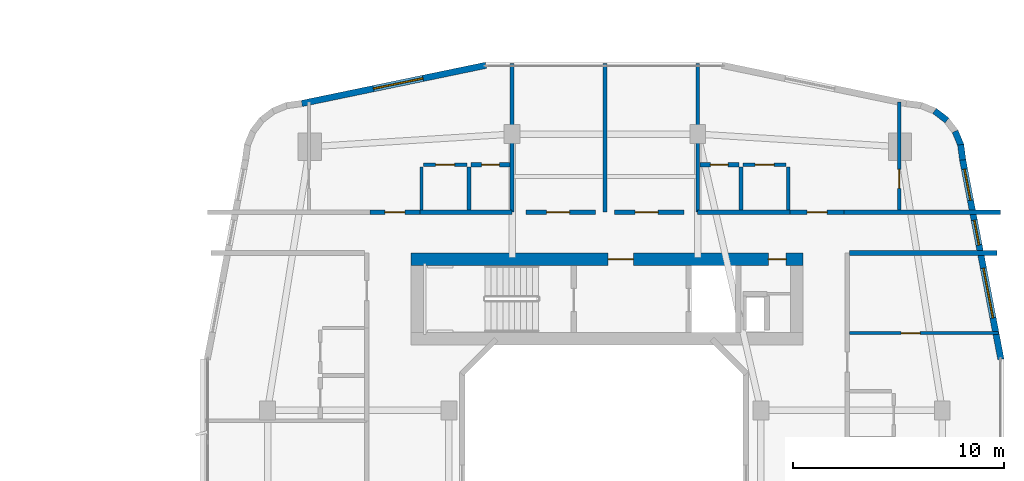
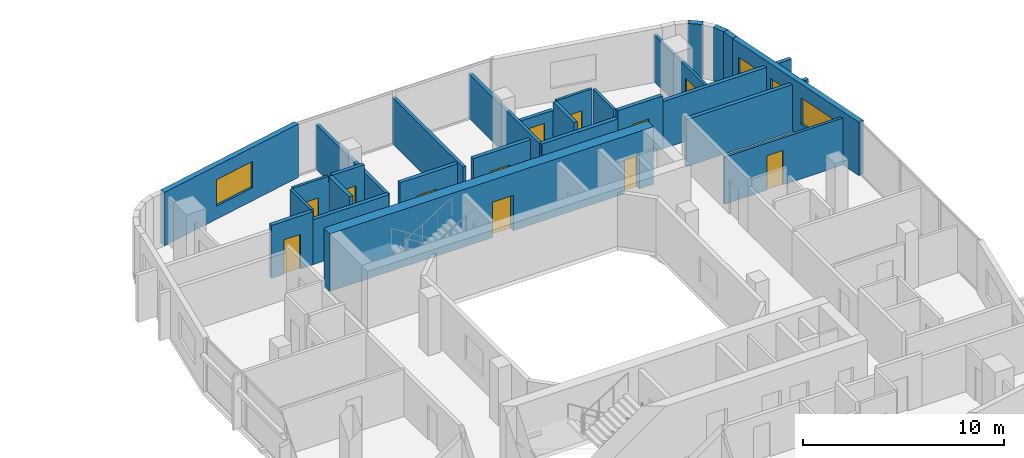
# One storey, part 20 of 26: 27 walls, 12 doors, 4 windows, 16 openings.
"""IFC4 building model written with IfcOpenShell, lengths in metres."""

from ifc_helpers import new_model, si_unit, derived_unit, direction, frame, frame_2d, origin, place, context, subcontext, project, spatial, rectangle, extrude, material, layer, layer_set, type_object, element, fill, save


model = new_model("IFC4")

# Units and contexts
model_context = context("Model", 3, precision=1e-05, world=origin(), true_north=direction((0.0, 1.0)))
body_context = subcontext(model_context, "Body", "Model", "MODEL_VIEW")
ifc_project = project(units=[si_unit("LENGTHUNIT", "METRE"), si_unit("AREAUNIT", "SQUARE_METRE"), si_unit("VOLUMEUNIT", "CUBIC_METRE"), si_unit("PLANEANGLEUNIT", "RADIAN"), si_unit("MASSUNIT", "GRAM", prefix="KILO"), derived_unit("THERMALTRANSMITTANCEUNIT", [(si_unit("POWERUNIT", "WATT"), 1), (si_unit("LENGTHUNIT", "METRE"), -2), (si_unit("THERMODYNAMICTEMPERATUREUNIT", "KELVIN"), -1)])], contexts=[model_context])

# Site, building, storey
site_placement = place(None, origin())
site = spatial("IfcSite", under=ifc_project, at=site_placement, CompositionType="ELEMENT")
building_placement = place(site_placement, origin())
building = spatial("IfcBuilding", under=site, at=building_placement, Name="Kivonza Crest Hotel", CompositionType="ELEMENT")
storey_placement = place(building_placement, frame((0.0, 0.0, 55.5)))
storey = spatial("IfcBuildingStorey", under=building, at=storey_placement, Name="L14", CompositionType="ELEMENT", Elevation=55.5)

# Walls
ifc_material_1 = material(Name="High-density acoustic masonry inter-tenancy wall", Category="masonry")
ifc_layer_1 = layer(ifc_material_1, 0.179931640625)
ifc_layer_set_1 = layer_set([ifc_layer_1], Name="High-density acoustic masonry inter-tenancy wall")
wall_type_1 = type_object("IfcWallType", Name="WL-ACOU-180", PredefinedType="SOLIDWALL", material=ifc_layer_set_1)
wall_1_placement = place(storey_placement, frame((72.60009765625, 37.89990234375, 0.0), z_axis=(0.0, 0.0, 1.0), x_axis=(0.0, 1.0, 0.0)))
element("IfcWall", 1, at=wall_1_placement, inside=storey, type_object=wall_type_1, Name="L14 interior partition WA-L14-T2N-DIV1", PredefinedType="SOLIDWALL", context=body_context, shape_type="SweptSolid", body=[
    extrude(rectangle(XDim=7.0400390625, YDim=0.179931640625, at=frame_2d((3.52001953125, 0.0))), origin(), (0.0, 0.0, 1.0), 2.72509765625),
])
wall_2_placement = place(storey_placement, frame((77.0, 37.89990234375, 0.0), z_axis=(0.0, 0.0, 1.0), x_axis=(0.0, 1.0, 0.0)))
element("IfcWall", 2, at=wall_2_placement, inside=storey, type_object=wall_type_1, Name="L14 interior partition WA-L14-T2N-OFFDIV", PredefinedType="SOLIDWALL", context=body_context, shape_type="SweptSolid", body=[
    extrude(rectangle(XDim=7.0400390625, YDim=0.179931640625, at=frame_2d((3.52001953125, 0.0))), origin(), (0.0, 0.0, 1.0), 2.824951171875),
])
wall_3_placement = place(storey_placement, frame((81.39990234375, 37.89990234375, 0.0), z_axis=(0.0, 0.0, 1.0), x_axis=(0.0, 1.0, 0.0)))
element("IfcWall", 3, at=wall_3_placement, inside=storey, type_object=wall_type_1, Name="L14 interior partition WA-L14-T2N-DIV2", PredefinedType="SOLIDWALL", context=body_context, shape_type="SweptSolid", body=[
    extrude(rectangle(XDim=7.0400390625, YDim=0.179931640625, at=frame_2d((3.52001953125, 0.0))), origin(), (0.0, 0.0, 1.0), 2.72509765625),
])
ifc_material_2 = material(Name="Autoclaved aerated concrete blockwork", Category="masonry")
ifc_layer_2 = layer(ifc_material_2, 0.219970703125)
ifc_layer_set_2 = layer_set([ifc_layer_2], Name="Autoclaved aerated concrete blockwork")
wall_type_2 = type_object("IfcWallType", Name="WL-ACOU-220", PredefinedType="SOLIDWALL", material=ifc_layer_set_2)
wall_4_placement = place(storey_placement, frame((68.219970703125, 37.89990234375, 0.0), z_axis=(0.0, 0.0, 1.0), x_axis=(1.0, 0.0, 0.0)))
element("IfcWall", 4, at=wall_4_placement, inside=storey, type_object=wall_type_2, Name="L14 interior partition WA-L14-A01-RCORR", PredefinedType="SOLIDWALL", context=body_context, shape_type="SweptSolid", body=[
    extrude(rectangle(XDim=4.380126953125, YDim=0.219970703125, at=frame_2d((2.18994140625, 0.0))), origin(), (0.0, 0.0, 1.0), 2.72509765625),
])

# Wall, opening, door
wall_5_placement = place(storey_placement, frame((65.85009765625, 37.89990234375, 0.0), z_axis=(0.0, 0.0, 1.0), x_axis=(1.0, 0.0, 0.0)))
wall_5 = element("IfcWall", 5, at=wall_5_placement, inside=storey, type_object=wall_type_2, Name="L14 interior partition WA-L14-A01-MCORR", PredefinedType="SOLIDWALL", context=body_context, shape_type="SweptSolid", body=[
    extrude(rectangle(XDim=2.369873046875, YDim=0.219970703125, at=frame_2d((1.18505859375, 0.0))), origin(), (0.0, 0.0, 1.0), 3.219970703125),
])
opening_1_placement = place(wall_5_placement, frame((0.7099609375, 0.0, 0.0)))
opening_1 = element("IfcOpeningElement", 6, at=opening_1_placement, cuts=wall_5, Name="Opening DU-60", PredefinedType="OPENING", context=body_context, shape_type="SweptSolid", body=[
    extrude(rectangle(XDim=0.949951171875, YDim=2.10009765625, at=frame_2d((0.47509765625, 1.050048828125))), frame((0.0, 0.1201171875, 0.0), z_axis=(0.0, -1.0, 0.0), x_axis=(1.0, 0.0, 0.0)), (0.0, 0.0, 1.0), 0.239990234375),
])
ifc_material_3 = material(Name="Hardwood timber oak", Category="wood")
door_type_1 = type_object("IfcDoorType", Name="DR-UNIT-950", OperationType="NOTDEFINED", PredefinedType="DOOR", material=ifc_material_3)
door_1_placement = place(opening_1_placement, origin())
door_1 = element("IfcDoor", 7, at=door_1_placement, inside=storey, type_object=door_type_1, Name="L14 A01 apartment entrance fire door", OperationType="SINGLE_SWING_LEFT", OverallHeight=2.10009765625, OverallWidth=0.949951171875, PredefinedType="DOOR", context=body_context, shape_type="SweptSolid", body=[
    extrude(rectangle(XDim=0.949951171875, YDim=2.10009765625, at=frame_2d((0.47509765625, 1.050048828125))), frame((0.0, 0.02490234375, 0.0), z_axis=(0.0, -1.0, 0.0), x_axis=(1.0, 0.0, 0.0)), (0.0, 0.0, 1.0), 0.050048828125),
])
fill(opening_1, door_1)

wall_6_placement = place(storey_placement, frame((73.25, 37.89990234375, 0.0), z_axis=(0.0, 0.0, 1.0), x_axis=(1.0, 0.0, 0.0)))
wall_6 = element("IfcWall", 8, at=wall_6_placement, inside=storey, type_object=wall_type_2, Name="L14 interior partition WA-L14-T2-OFF1-S", PredefinedType="SOLIDWALL", context=body_context, shape_type="SweptSolid", body=[
    extrude(rectangle(XDim=3.300048828125, YDim=0.219970703125, at=frame_2d((1.64990234375, 0.0))), origin(), (0.0, 0.0, 1.0), 3.219970703125),
])
opening_2_placement = place(wall_6_placement, frame((0.97998046875, 0.0, 0.0)))
opening_2 = element("IfcOpeningElement", 9, at=opening_2_placement, cuts=wall_6, Name="Opening DF-60M", PredefinedType="OPENING", context=body_context, shape_type="SweptSolid", body=[
    extrude(rectangle(XDim=1.10009765625, YDim=2.10009765625, at=frame_2d((0.550048828125, 1.050048828125))), frame((0.0, 0.1201171875, 0.0), z_axis=(0.0, -1.0, 0.0), x_axis=(1.0, 0.0, 0.0)), (0.0, 0.0, 1.0), 0.239990234375),
])
door_type_2 = type_object("IfcDoorType", Name="DR-FD60-1100", OperationType="NOTDEFINED", PredefinedType="DOOR", material=ifc_material_3)
door_2_placement = place(opening_2_placement, origin())
door_2 = element("IfcDoor", 10, at=door_2_placement, inside=storey, type_object=door_type_2, Name="L14 Resident Co-Working Study West door", OperationType="SINGLE_SWING_RIGHT", OverallHeight=2.10009765625, OverallWidth=1.10009765625, PredefinedType="DOOR", context=body_context, shape_type="SweptSolid", body=[
    extrude(rectangle(XDim=1.10009765625, YDim=2.10009765625, at=frame_2d((0.550048828125, 1.050048828125))), frame((0.0, 0.02490234375, 0.0), z_axis=(0.0, -1.0, 0.0), x_axis=(1.0, 0.0, 0.0)), (0.0, 0.0, 1.0), 0.050048828125),
])
fill(opening_2, door_2)

wall_7_placement = place(storey_placement, frame((77.449951171875, 37.89990234375, 0.0), z_axis=(0.0, 0.0, 1.0), x_axis=(1.0, 0.0, 0.0)))
wall_7 = element("IfcWall", 11, at=wall_7_placement, inside=storey, type_object=wall_type_2, Name="L14 interior partition WA-L14-T2-OFF2-S", PredefinedType="SOLIDWALL", context=body_context, shape_type="SweptSolid", body=[
    extrude(rectangle(XDim=3.300048828125, YDim=0.219970703125, at=frame_2d((1.64990234375, 0.0))), origin(), (0.0, 0.0, 1.0), 3.219970703125),
])
opening_3_placement = place(wall_7_placement, frame((0.97998046875, 0.0, 0.0)))
opening_3 = element("IfcOpeningElement", 12, at=opening_3_placement, cuts=wall_7, Name="Opening DF-60M", PredefinedType="OPENING", context=body_context, shape_type="SweptSolid", body=[
    extrude(rectangle(XDim=1.10009765625, YDim=2.10009765625, at=frame_2d((0.550048828125, 1.050048828125))), frame((0.0, 0.1201171875, 0.0), z_axis=(0.0, -1.0, 0.0), x_axis=(1.0, 0.0, 0.0)), (0.0, 0.0, 1.0), 0.239990234375),
])
door_3_placement = place(opening_3_placement, origin())
door_3 = element("IfcDoor", 13, at=door_3_placement, inside=storey, type_object=door_type_2, Name="L14 Resident Co-Working Study East door", OperationType="SINGLE_SWING_LEFT", OverallHeight=2.10009765625, OverallWidth=1.10009765625, PredefinedType="DOOR", context=body_context, shape_type="SweptSolid", body=[
    extrude(rectangle(XDim=1.10009765625, YDim=2.10009765625, at=frame_2d((0.550048828125, 1.050048828125))), frame((0.0, 0.02490234375, 0.0), z_axis=(0.0, -1.0, 0.0), x_axis=(1.0, 0.0, 0.0)), (0.0, 0.0, 1.0), 0.050048828125),
])
fill(opening_3, door_3)

# Walls
wall_8_placement = place(storey_placement, frame((81.39990234375, 37.89990234375, 0.0), z_axis=(0.0, 0.0, 1.0), x_axis=(1.0, 0.0, 0.0)))
element("IfcWall", 14, at=wall_8_placement, inside=storey, type_object=wall_type_2, Name="L14 interior partition WA-L14-A02-LCORR", PredefinedType="SOLIDWALL", context=body_context, shape_type="SweptSolid", body=[
    extrude(rectangle(XDim=4.380126953125, YDim=0.219970703125, at=frame_2d((2.18994140625, 0.0))), origin(), (0.0, 0.0, 1.0), 2.72509765625),
])
wall_9_placement = place(storey_placement, frame((88.35009765625, 37.89990234375, 0.0), z_axis=(0.0, 0.0, 1.0), x_axis=(1.0, 0.0, 0.0)))
element("IfcWall", 15, at=wall_9_placement, inside=storey, type_object=wall_type_2, Name="L14 interior partition WA-L14-A02-RCORR", PredefinedType="SOLIDWALL", context=body_context, shape_type="SweptSolid", body=[
    extrude(rectangle(XDim=7.409912109375, YDim=0.219970703125, at=frame_2d((3.705078125, 0.0))), origin(), (0.0, 0.0, 1.0), 2.864990234375),
])

# Wall, opening, door
wall_10_placement = place(storey_placement, frame((85.780029296875, 37.89990234375, 0.0), z_axis=(0.0, 0.0, 1.0), x_axis=(1.0, 0.0, 0.0)))
wall_10 = element("IfcWall", 16, at=wall_10_placement, inside=storey, type_object=wall_type_2, Name="L14 interior partition WA-L14-A02-MCORR", PredefinedType="SOLIDWALL", context=body_context, shape_type="SweptSolid", body=[
    extrude(rectangle(XDim=2.570068359375, YDim=0.219970703125, at=frame_2d((1.28515625, 0.0))), origin(), (0.0, 0.0, 1.0), 3.219970703125),
])
opening_4_placement = place(wall_10_placement, frame((0.81005859375, 0.0, 0.0)))
opening_4 = element("IfcOpeningElement", 17, at=opening_4_placement, cuts=wall_10, Name="Opening DU-60", PredefinedType="OPENING", context=body_context, shape_type="SweptSolid", body=[
    extrude(rectangle(XDim=0.949951171875, YDim=2.10009765625, at=frame_2d((0.47509765625, 1.050048828125))), frame((0.0, 0.1201171875, 0.0), z_axis=(0.0, -1.0, 0.0), x_axis=(1.0, 0.0, 0.0)), (0.0, 0.0, 1.0), 0.239990234375),
])
door_4_placement = place(opening_4_placement, origin())
door_4 = element("IfcDoor", 18, at=door_4_placement, inside=storey, type_object=door_type_1, Name="L14 A02 apartment entrance fire door", OperationType="SINGLE_SWING_RIGHT", OverallHeight=2.10009765625, OverallWidth=0.949951171875, PredefinedType="DOOR", context=body_context, shape_type="SweptSolid", body=[
    extrude(rectangle(XDim=0.949951171875, YDim=2.10009765625, at=frame_2d((0.47509765625, 1.050048828125))), frame((0.0, 0.02490234375, 0.0), z_axis=(0.0, -1.0, 0.0), x_axis=(1.0, 0.0, 0.0)), (0.0, 0.0, 1.0), 0.050048828125),
])
fill(opening_4, door_4)

# Wall
wall_11_placement = place(storey_placement, frame((88.60009765625, 35.9599609375, 0.0), z_axis=(0.0, 0.0, 1.0), x_axis=(1.0, 0.0, 0.0)))
element("IfcWall", 19, at=wall_11_placement, inside=storey, type_object=wall_type_2, Name="L14 interior partition WA-L14-T2E-ENDN", PredefinedType="SOLIDWALL", context=body_context, shape_type="SweptSolid", body=[
    extrude(rectangle(XDim=7.0, YDim=0.219970703125, at=frame_2d((3.5, 0.0))), origin(), (0.0, 0.0, 1.0), 2.864990234375),
])

# Wall, openings, doors
ifc_material_4 = material(Name="Concrete C60/75", Category="concrete")
ifc_layer_3 = layer(ifc_material_4, 0.60009765625)
ifc_layer_set_3 = layer_set([ifc_layer_3], Name="Concrete C60/75")
wall_type_3 = type_object("IfcWallType", Name="WL-CORE-600", PredefinedType="SHEAR", material=ifc_layer_set_3)
wall_12_placement = place(storey_placement, frame((67.800048828125, 35.659912109375, 0.0), z_axis=(0.0, 0.0, 1.0), x_axis=(1.0, 0.0, 0.0)))
wall_12 = element("IfcWall", 20, at=wall_12_placement, inside=storey, type_object=wall_type_3, Name="Core wall T2-N North L14", PredefinedType="SHEAR", context=body_context, shape_type="SweptSolid", body=[
    extrude(rectangle(XDim=18.599853515625, YDim=0.60009765625, at=frame_2d((9.2998046875, 0.0))), origin(), (0.0, 0.0, 1.0), 3.5),
])
opening_5_placement = place(wall_12_placement, frame((9.35009765625, 0.0, 0.0)))
opening_5 = element("IfcOpeningElement", 21, at=opening_5_placement, cuts=wall_12, Name="Opening DF-60", PredefinedType="OPENING", context=body_context, shape_type="SweptSolid", body=[
    extrude(rectangle(XDim=1.199951171875, YDim=2.14990234375, at=frame_2d((0.60009765625, 1.074951171875))), frame((0.0, 0.31005859375, 0.0), z_axis=(0.0, -1.0, 0.0), x_axis=(1.0, 0.0, 0.0)), (0.0, 0.0, 1.0), 0.6201171875),
])
opening_6_placement = place(wall_12_placement, frame((16.949951171875, 0.0, 0.0)))
opening_6 = element("IfcOpeningElement", 22, at=opening_6_placement, cuts=wall_12, Name="Opening DF-60R", PredefinedType="OPENING", context=body_context, shape_type="SweptSolid", body=[
    extrude(rectangle(XDim=0.85009765625, YDim=2.10009765625, at=frame_2d((0.425048828125, 1.050048828125))), frame((0.0, 0.31005859375, 0.0), z_axis=(0.0, -1.0, 0.0), x_axis=(1.0, 0.0, 0.0)), (0.0, 0.0, 1.0), 0.6201171875),
])
door_type_3 = type_object("IfcDoorType", Name="DR-FD60-1200", OperationType="NOTDEFINED", PredefinedType="DOOR", material=ifc_material_3)
door_5_placement = place(opening_5_placement, origin())
door_5 = element("IfcDoor", 23, at=door_5_placement, inside=storey, type_object=door_type_3, Name="L14 T2-N firefighting lobby fire door", OperationType="SINGLE_SWING_RIGHT", OverallHeight=2.14990234375, OverallWidth=1.199951171875, PredefinedType="DOOR", context=body_context, shape_type="SweptSolid", body=[
    extrude(rectangle(XDim=1.199951171875, YDim=2.14990234375, at=frame_2d((0.60009765625, 1.074951171875))), frame((0.0, 0.02490234375, 0.0), z_axis=(0.0, -1.0, 0.0), x_axis=(1.0, 0.0, 0.0)), (0.0, 0.0, 1.0), 0.050048828125),
])
fill(opening_5, door_5)
door_type_4 = type_object("IfcDoorType", Name="DR-FD60-850", OperationType="NOTDEFINED", PredefinedType="DOOR", material=ifc_material_3)
door_6_placement = place(opening_6_placement, origin())
door_6 = element("IfcDoor", 24, at=door_6_placement, inside=storey, type_object=door_type_4, Name="L14 T2-N core room door", OperationType="SINGLE_SWING_RIGHT", OverallHeight=2.10009765625, OverallWidth=0.85009765625, PredefinedType="DOOR", context=body_context, shape_type="SweptSolid", body=[
    extrude(rectangle(XDim=0.85009765625, YDim=2.10009765625, at=frame_2d((0.425048828125, 1.050048828125))), frame((0.0, 0.02490234375, 0.0), z_axis=(0.0, -1.0, 0.0), x_axis=(1.0, 0.0, 0.0)), (0.0, 0.0, 1.0), 0.050048828125),
])
fill(opening_6, door_6)

# Wall, openings, windows
ifc_material_5 = material(Name="Precast concrete C40/50", Category="concrete")
ifc_layer_4 = layer(ifc_material_5, 0.300048828125)
ifc_layer_set_4 = layer_set([ifc_layer_4], Name="Precast concrete C40/50")
wall_type_4 = type_object("IfcWallType", Name="WL-EXT-300", PredefinedType="STANDARD", material=ifc_layer_set_4)
wall_13_placement = place(storey_placement, frame((95.782958984375, 30.91796875, 0.0), z_axis=(0.0, 0.0, 1.0), x_axis=(-0.188087874316, 0.982152203854, 0.0)))
wall_13 = element("IfcWall", 25, at=wall_13_placement, inside=storey, type_object=wall_type_4, Name="L14 T2 exterior insulated wall 18", PredefinedType="STANDARD", context=body_context, shape_type="SweptSolid", body=[
    extrude(rectangle(XDim=9.6337890625, YDim=0.300048828125, at=frame_2d((4.81689453125, 0.0))), origin(), (0.0, 0.0, 1.0), 3.25),
])
opening_7_placement = place(wall_13_placement, frame((1.9990234375, 0.0, 0.800048828125)))
opening_7 = element("IfcOpeningElement", 26, at=opening_7_placement, cuts=wall_13, Name="Opening WN-05", PredefinedType="OPENING", context=body_context, shape_type="SweptSolid", body=[
    extrude(rectangle(XDim=2.39990234375, YDim=1.60009765625, at=frame_2d((1.199951171875, 0.800048828125))), frame((0.0, 0.16015625, 0.0), z_axis=(0.0, -1.0, 0.0), x_axis=(1.0, 0.0, 0.0)), (0.0, 0.0, 1.0), 0.320068359375),
])
opening_8_placement = place(wall_13_placement, frame((5.52099609375, 0.0, 0.85009765625)))
opening_8 = element("IfcOpeningElement", 27, at=opening_8_placement, cuts=wall_13, Name="Opening WN-01", PredefinedType="OPENING", context=body_context, shape_type="SweptSolid", body=[
    extrude(rectangle(XDim=1.199951171875, YDim=1.5, at=frame_2d((0.60009765625, 0.75))), frame((0.0, 0.16015625, 0.0), z_axis=(0.0, -1.0, 0.0), x_axis=(1.0, 0.0, 0.0)), (0.0, 0.0, 1.0), 0.320068359375),
])
opening_9_placement = place(wall_13_placement, frame((7.681884765625, 0.0, 0.85009765625)))
opening_9 = element("IfcOpeningElement", 28, at=opening_9_placement, cuts=wall_13, Name="Opening WN-02", PredefinedType="OPENING", context=body_context, shape_type="SweptSolid", body=[
    extrude(rectangle(XDim=1.5, YDim=1.5, at=frame_2d((0.75, 0.75))), frame((0.0, 0.16015625, 0.0), z_axis=(0.0, -1.0, 0.0), x_axis=(1.0, 0.0, 0.0)), (0.0, 0.0, 1.0), 0.320068359375),
])
ifc_material_6 = material(Name="Thermally broken bronze aluminium and low-E double glazing", Category="aluminium")
window_type_1 = type_object("IfcWindowType", Name="WN-120x150", PartitioningType="SINGLE_PANEL", PredefinedType="WINDOW", material=ifc_material_6)
window_1_placement = place(opening_8_placement, origin())
window_1 = element("IfcWindow", 29, at=window_1_placement, inside=storey, type_object=window_type_1, Name="L14 T2 facade window 18 bay 2", OverallHeight=1.5, OverallWidth=1.199951171875, PartitioningType="SINGLE_PANEL", PredefinedType="WINDOW", context=body_context, shape_type="SweptSolid", body=[
    extrude(rectangle(XDim=1.199951171875, YDim=1.5, at=frame_2d((0.60009765625, 0.75))), frame((0.0, 0.030029296875, 0.0), z_axis=(0.0, -1.0, 0.0), x_axis=(1.0, 0.0, 0.0)), (0.0, 0.0, 1.0), 0.06005859375),
])
fill(opening_8, window_1)
window_type_2 = type_object("IfcWindowType", Name="WN-150x150", PartitioningType="DOUBLE_PANEL_VERTICAL", PredefinedType="WINDOW", material=ifc_material_6)
window_2_placement = place(opening_9_placement, origin())
window_2 = element("IfcWindow", 30, at=window_2_placement, inside=storey, type_object=window_type_2, Name="L14 T2 facade window 18 bay 3", OverallHeight=1.5, OverallWidth=1.5, PartitioningType="SINGLE_PANEL", PredefinedType="WINDOW", context=body_context, shape_type="SweptSolid", body=[
    extrude(rectangle(XDim=1.5, YDim=1.5, at=frame_2d((0.75, 0.75))), frame((0.0, 0.030029296875, 0.0), z_axis=(0.0, -1.0, 0.0), x_axis=(1.0, 0.0, 0.0)), (0.0, 0.0, 1.0), 0.06005859375),
])
fill(opening_9, window_2)
window_type_3 = type_object("IfcWindowType", Name="WN-240x160", PartitioningType="TRIPLE_PANEL_VERTICAL", PredefinedType="WINDOW", material=ifc_material_6)
window_3_placement = place(opening_7_placement, origin())
window_3 = element("IfcWindow", 31, at=window_3_placement, inside=storey, type_object=window_type_3, Name="L14 T2 facade window 18 bay 1", OverallHeight=1.60009765625, OverallWidth=2.39990234375, PartitioningType="SINGLE_PANEL", PredefinedType="WINDOW", context=body_context, shape_type="SweptSolid", body=[
    extrude(rectangle(XDim=2.39990234375, YDim=1.60009765625, at=frame_2d((1.199951171875, 0.800048828125))), frame((0.0, 0.030029296875, 0.0), z_axis=(0.0, -1.0, 0.0), x_axis=(1.0, 0.0, 0.0)), (0.0, 0.0, 1.0), 0.06005859375),
])
fill(opening_7, window_3)

# Walls
wall_14_placement = place(storey_placement, frame((93.971923828125, 40.373046875, 0.0), z_axis=(0.0, 0.0, 1.0), x_axis=(-0.130255288807, 0.991480488834, 0.0)))
element("IfcWall", 32, at=wall_14_placement, inside=storey, type_object=wall_type_4, Name="L14 T2 exterior insulated wall 19", PredefinedType="STANDARD", context=body_context, shape_type="SweptSolid", body=[
    extrude(rectangle(XDim=0.72900390625, YDim=0.300048828125, at=frame_2d((0.364501953125, 0.0))), origin(), (0.0, 0.0, 1.0), 3.25),
])
wall_15_placement = place(storey_placement, frame((93.89599609375, 41.044921875, 0.0), z_axis=(0.0, 0.0, 1.0), x_axis=(-0.383267045233, 0.923637576129, 0.0)))
element("IfcWall", 33, at=wall_15_placement, inside=storey, type_object=wall_type_4, Name="L14 T2 exterior insulated wall 20", PredefinedType="STANDARD", context=body_context, shape_type="SweptSolid", body=[
    extrude(rectangle(XDim=0.745849609375, YDim=0.300048828125, at=frame_2d((0.373046875, 0.0))), origin(), (0.0, 0.0, 1.0), 3.25),
])
wall_16_placement = place(storey_placement, frame((93.22900390625, 42.24609375, 0.0), z_axis=(0.0, 0.0, 1.0), x_axis=(-0.79363269798, 0.608397189915, 0.0)))
element("IfcWall", 34, at=wall_16_placement, inside=storey, type_object=wall_type_4, Name="L14 T2 exterior insulated wall 22", PredefinedType="STANDARD", context=body_context, shape_type="SweptSolid", body=[
    extrude(rectangle(XDim=0.74609375, YDim=0.300048828125, at=frame_2d((0.373046875, 0.0))), origin(), (0.0, 0.0, 1.0), 3.25),
])

# Wall, opening, window
wall_17_placement = place(storey_placement, frame((71.35595703125, 44.864013671875, 0.0), z_axis=(0.0, 0.0, 1.0), x_axis=(-0.979127260729, -0.203248142175, 0.0)))
wall_17 = element("IfcWall", 35, at=wall_17_placement, inside=storey, type_object=wall_type_4, Name="L14 T2 exterior insulated wall 27", PredefinedType="STANDARD", context=body_context, shape_type="SweptSolid", body=[
    extrude(rectangle(XDim=8.920166015625, YDim=0.300048828125, at=frame_2d((4.4599609375, 0.0))), origin(), (0.0, 0.0, 1.0), 3.25),
])
opening_10_placement = place(wall_17_placement, frame((3.048095703125, 0.0, 0.800048828125)))
opening_10 = element("IfcOpeningElement", 36, at=opening_10_placement, cuts=wall_17, Name="Opening WN-05", PredefinedType="OPENING", context=body_context, shape_type="SweptSolid", body=[
    extrude(rectangle(XDim=2.39990234375, YDim=1.60009765625, at=frame_2d((1.199951171875, 0.800048828125))), frame((0.0, 0.16015625, 0.0), z_axis=(0.0, -1.0, 0.0), x_axis=(1.0, 0.0, 0.0)), (0.0, 0.0, 1.0), 0.320068359375),
])
window_4_placement = place(opening_10_placement, origin())
window_4 = element("IfcWindow", 37, at=window_4_placement, inside=storey, type_object=window_type_3, Name="L14 T2 facade window 27", OverallHeight=1.60009765625, OverallWidth=2.39990234375, PartitioningType="SINGLE_PANEL", PredefinedType="WINDOW", context=body_context, shape_type="SweptSolid", body=[
    extrude(rectangle(XDim=2.39990234375, YDim=1.60009765625, at=frame_2d((1.199951171875, 0.800048828125))), frame((0.0, 0.030029296875, 0.0), z_axis=(0.0, -1.0, 0.0), x_axis=(1.0, 0.0, 0.0)), (0.0, 0.0, 1.0), 0.06005859375),
])
fill(opening_10, window_4)

# Wall
ifc_material_7 = material(Name="Twin-stud acoustic gypsum board partition", Category="gypsum")
ifc_layer_5 = layer(ifc_material_7, 0.14990234375)
ifc_layer_set_5 = layer_set([ifc_layer_5], Name="Twin-stud acoustic gypsum board partition")
wall_type_5 = type_object("IfcWallType", Name="WL-PART-150", PredefinedType="PARTITIONING", material=ifc_layer_set_5)
wall_18_placement = place(storey_placement, frame((68.300048828125, 38.0, 0.0), z_axis=(0.0, 0.0, 1.0), x_axis=(0.0, 1.0, 0.0)))
element("IfcWall", 38, at=wall_18_placement, inside=storey, type_object=wall_type_5, Name="L14 interior partition WP-L14-A01-KF", PredefinedType="PARTITIONING", context=body_context, shape_type="SweptSolid", body=[
    extrude(rectangle(XDim=2.050048828125, YDim=0.14990234375, at=frame_2d((1.02490234375, 0.0))), origin(), (0.0, 0.0, 1.0), 3.219970703125),
])

# Wall, opening, door
wall_19_placement = place(storey_placement, frame((68.39990234375, 40.14990234375, 0.0), z_axis=(0.0, 0.0, 1.0), x_axis=(1.0, 0.0, 0.0)))
wall_19 = element("IfcWall", 39, at=wall_19_placement, inside=storey, type_object=wall_type_5, Name="L14 interior partition WP-L14-A01-KSVC", PredefinedType="PARTITIONING", context=body_context, shape_type="SweptSolid", body=[
    extrude(rectangle(XDim=2.050048828125, YDim=0.14990234375, at=frame_2d((1.02490234375, 0.0))), origin(), (0.0, 0.0, 1.0), 3.219970703125),
])
opening_11_placement = place(wall_19_placement, frame((0.574951171875, 0.0, 0.0)))
opening_11 = element("IfcOpeningElement", 40, at=opening_11_placement, cuts=wall_19, Name="Opening DI-90", PredefinedType="OPENING", context=body_context, shape_type="SweptSolid", body=[
    extrude(rectangle(XDim=0.89990234375, YDim=2.10009765625, at=frame_2d((0.449951171875, 1.050048828125))), frame((0.0, 0.0849609375, 0.0), z_axis=(0.0, -1.0, 0.0), x_axis=(1.0, 0.0, 0.0)), (0.0, 0.0, 1.0), 0.169921875),
])
door_type_5 = type_object("IfcDoorType", Name="DR-INT-900", OperationType="NOTDEFINED", PredefinedType="DOOR", material=ifc_material_3)
door_7_placement = place(opening_11_placement, origin())
door_7 = element("IfcDoor", 41, at=door_7_placement, inside=storey, type_object=door_type_5, Name="L14 A01 apartment kitchen door", OperationType="SINGLE_SWING_LEFT", OverallHeight=2.10009765625, OverallWidth=0.89990234375, PredefinedType="DOOR", context=body_context, shape_type="SweptSolid", body=[
    extrude(rectangle(XDim=0.89990234375, YDim=2.10009765625, at=frame_2d((0.449951171875, 1.050048828125))), frame((0.0, 0.02490234375, 0.0), z_axis=(0.0, -1.0, 0.0), x_axis=(1.0, 0.0, 0.0)), (0.0, 0.0, 1.0), 0.050048828125),
])
fill(opening_11, door_7)

wall_20_placement = place(storey_placement, frame((90.9599609375, 38.0, 0.0), z_axis=(0.0, 0.0, 1.0), x_axis=(0.0, 1.0, 0.0)))
wall_20 = element("IfcWall", 42, at=wall_20_placement, inside=storey, type_object=wall_type_5, Name="L14 interior partition WP-L14-A02-BDW1", PredefinedType="PARTITIONING", context=body_context, shape_type="SweptSolid", body=[
    extrude(rectangle(XDim=5.113037109375, YDim=0.14990234375, at=frame_2d((2.556640625, 0.0))), origin(), (0.0, 0.0, 1.0), 2.864990234375),
])
opening_12_placement = place(wall_20_placement, frame((1.030029296875, 0.0, 0.0)))
opening_12 = element("IfcOpeningElement", 43, at=opening_12_placement, cuts=wall_20, Name="Opening DI-90", PredefinedType="OPENING", context=body_context, shape_type="SweptSolid", body=[
    extrude(rectangle(XDim=0.89990234375, YDim=2.10009765625, at=frame_2d((0.449951171875, 1.050048828125))), frame((0.0, 0.0849609375, 0.0), z_axis=(0.0, -1.0, 0.0), x_axis=(1.0, 0.0, 0.0)), (0.0, 0.0, 1.0), 0.169921875),
])
door_8_placement = place(opening_12_placement, origin())
door_8 = element("IfcDoor", 44, at=door_8_placement, inside=storey, type_object=door_type_5, Name="L14 A02 bedroom 1 door", OperationType="SINGLE_SWING_LEFT", OverallHeight=2.10009765625, OverallWidth=0.89990234375, PredefinedType="DOOR", context=body_context, shape_type="SweptSolid", body=[
    extrude(rectangle(XDim=0.89990234375, YDim=2.10009765625, at=frame_2d((0.449951171875, 1.050048828125))), frame((0.0, 0.02490234375, 0.0), z_axis=(0.0, -1.0, 0.0), x_axis=(1.0, 0.0, 0.0)), (0.0, 0.0, 1.0), 0.050048828125),
])
fill(opening_12, door_8)

# Wall
wall_21_placement = place(storey_placement, frame((85.699951171875, 38.0, 0.0), z_axis=(0.0, 0.0, 1.0), x_axis=(0.0, 1.0, 0.0)))
element("IfcWall", 45, at=wall_21_placement, inside=storey, type_object=wall_type_5, Name="L14 interior partition WP-L14-A02-KF", PredefinedType="PARTITIONING", context=body_context, shape_type="SweptSolid", body=[
    extrude(rectangle(XDim=2.050048828125, YDim=0.14990234375, at=frame_2d((1.02490234375, 0.0))), origin(), (0.0, 0.0, 1.0), 3.219970703125),
])

# Wall, opening, door
wall_22_placement = place(storey_placement, frame((83.550048828125, 40.14990234375, 0.0), z_axis=(0.0, 0.0, 1.0), x_axis=(1.0, 0.0, 0.0)))
wall_22 = element("IfcWall", 46, at=wall_22_placement, inside=storey, type_object=wall_type_5, Name="L14 interior partition WP-L14-A02-KSVC", PredefinedType="PARTITIONING", context=body_context, shape_type="SweptSolid", body=[
    extrude(rectangle(XDim=2.050048828125, YDim=0.14990234375, at=frame_2d((1.02490234375, 0.0))), origin(), (0.0, 0.0, 1.0), 3.219970703125),
])
opening_13_placement = place(wall_22_placement, frame((0.574951171875, 0.0, 0.0)))
opening_13 = element("IfcOpeningElement", 47, at=opening_13_placement, cuts=wall_22, Name="Opening DI-90", PredefinedType="OPENING", context=body_context, shape_type="SweptSolid", body=[
    extrude(rectangle(XDim=0.89990234375, YDim=2.10009765625, at=frame_2d((0.449951171875, 1.050048828125))), frame((0.0, 0.0849609375, 0.0), z_axis=(0.0, -1.0, 0.0), x_axis=(1.0, 0.0, 0.0)), (0.0, 0.0, 1.0), 0.169921875),
])
door_9_placement = place(opening_13_placement, origin())
door_9 = element("IfcDoor", 48, at=door_9_placement, inside=storey, type_object=door_type_5, Name="L14 A02 apartment kitchen door", OperationType="SINGLE_SWING_RIGHT", OverallHeight=2.10009765625, OverallWidth=0.89990234375, PredefinedType="DOOR", context=body_context, shape_type="SweptSolid", body=[
    extrude(rectangle(XDim=0.89990234375, YDim=2.10009765625, at=frame_2d((0.449951171875, 1.050048828125))), frame((0.0, 0.02490234375, 0.0), z_axis=(0.0, -1.0, 0.0), x_axis=(1.0, 0.0, 0.0)), (0.0, 0.0, 1.0), 0.050048828125),
])
fill(opening_13, door_9)

wall_23_placement = place(storey_placement, frame((88.60009765625, 32.159912109375, 0.0), z_axis=(0.0, 0.0, 1.0), x_axis=(1.0, 0.0, 0.0)))
wall_23 = element("IfcWall", 49, at=wall_23_placement, inside=storey, type_object=wall_type_5, Name="L14 interior partition WP-L14-A09-BD1", PredefinedType="PARTITIONING", context=body_context, shape_type="SweptSolid", body=[
    extrude(rectangle(XDim=7.059814453125, YDim=0.14990234375, at=frame_2d((3.52978515625, 0.0))), origin(), (0.0, 0.0, 1.0), 2.864990234375),
])
opening_14_placement = place(wall_23_placement, frame((2.449951171875, 0.0, 0.0)))
opening_14 = element("IfcOpeningElement", 50, at=opening_14_placement, cuts=wall_23, Name="Opening DI-90", PredefinedType="OPENING", context=body_context, shape_type="SweptSolid", body=[
    extrude(rectangle(XDim=0.89990234375, YDim=2.10009765625, at=frame_2d((0.449951171875, 1.050048828125))), frame((0.0, 0.0849609375, 0.0), z_axis=(0.0, -1.0, 0.0), x_axis=(1.0, 0.0, 0.0)), (0.0, 0.0, 1.0), 0.169921875),
])
door_10_placement = place(opening_14_placement, origin())
door_10 = element("IfcDoor", 51, at=door_10_placement, inside=storey, type_object=door_type_5, Name="L14 A09 bedroom door", OperationType="SINGLE_SWING_RIGHT", OverallHeight=2.10009765625, OverallWidth=0.89990234375, PredefinedType="DOOR", context=body_context, shape_type="SweptSolid", body=[
    extrude(rectangle(XDim=0.89990234375, YDim=2.10009765625, at=frame_2d((0.449951171875, 1.050048828125))), frame((0.0, 0.02490234375, 0.0), z_axis=(0.0, -1.0, 0.0), x_axis=(1.0, 0.0, 0.0)), (0.0, 0.0, 1.0), 0.050048828125),
])
fill(opening_14, door_10)

# Wall
ifc_material_8 = material(Name="Moisture-resistant plumbing chase partition wall", Category="gypsum")
ifc_layer_6 = layer(ifc_material_8, 0.199951171875)
ifc_layer_set_6 = layer_set([ifc_layer_6], Name="Moisture-resistant plumbing chase partition wall")
wall_type_6 = type_object("IfcWallType", Name="WL-PLUMB-200", PredefinedType="PLUMBINGWALL", material=ifc_layer_set_6)
wall_24_placement = place(storey_placement, frame((70.550048828125, 38.0, 0.0), z_axis=(0.0, 0.0, 1.0), x_axis=(0.0, 1.0, 0.0)))
element("IfcWall", 52, at=wall_24_placement, inside=storey, type_object=wall_type_6, Name="L14 interior partition WW-L14-A01-BK", PredefinedType="PLUMBINGWALL", context=body_context, shape_type="SweptSolid", body=[
    extrude(rectangle(XDim=2.050048828125, YDim=0.199951171875, at=frame_2d((1.02490234375, 0.0))), origin(), (0.0, 0.0, 1.0), 3.219970703125),
])

# Wall, opening, door
wall_25_placement = place(storey_placement, frame((70.64990234375, 40.14990234375, 0.0), z_axis=(0.0, 0.0, 1.0), x_axis=(1.0, 0.0, 0.0)))
wall_25 = element("IfcWall", 53, at=wall_25_placement, inside=storey, type_object=wall_type_6, Name="L14 interior partition WW-L14-A01-BSVC", PredefinedType="PLUMBINGWALL", context=body_context, shape_type="SweptSolid", body=[
    extrude(rectangle(XDim=1.85009765625, YDim=0.199951171875, at=frame_2d((0.925048828125, 0.0))), origin(), (0.0, 0.0, 1.0), 3.219970703125),
])
opening_15_placement = place(wall_25_placement, frame((0.5, 0.0, 0.0)))
opening_15 = element("IfcOpeningElement", 54, at=opening_15_placement, cuts=wall_25, Name="Opening DI-85", PredefinedType="OPENING", context=body_context, shape_type="SweptSolid", body=[
    extrude(rectangle(XDim=0.85009765625, YDim=2.10009765625, at=frame_2d((0.425048828125, 1.050048828125))), frame((0.0, 0.10986328125, 0.0), z_axis=(0.0, -1.0, 0.0), x_axis=(1.0, 0.0, 0.0)), (0.0, 0.0, 1.0), 0.219970703125),
])
door_type_6 = type_object("IfcDoorType", Name="DR-INT-850", OperationType="NOTDEFINED", PredefinedType="DOOR", material=ifc_material_3)
door_11_placement = place(opening_15_placement, origin())
door_11 = element("IfcDoor", 55, at=door_11_placement, inside=storey, type_object=door_type_6, Name="L14 A01 apartment bathroom door", OperationType="SINGLE_SWING_RIGHT", OverallHeight=2.10009765625, OverallWidth=0.85009765625, PredefinedType="DOOR", context=body_context, shape_type="SweptSolid", body=[
    extrude(rectangle(XDim=0.85009765625, YDim=2.10009765625, at=frame_2d((0.425048828125, 1.050048828125))), frame((0.0, 0.02490234375, 0.0), z_axis=(0.0, -1.0, 0.0), x_axis=(1.0, 0.0, 0.0)), (0.0, 0.0, 1.0), 0.050048828125),
])
fill(opening_15, door_11)

# Wall
wall_26_placement = place(storey_placement, frame((83.449951171875, 38.0, 0.0), z_axis=(0.0, 0.0, 1.0), x_axis=(0.0, 1.0, 0.0)))
element("IfcWall", 56, at=wall_26_placement, inside=storey, type_object=wall_type_6, Name="L14 interior partition WW-L14-A02-BK", PredefinedType="PLUMBINGWALL", context=body_context, shape_type="SweptSolid", body=[
    extrude(rectangle(XDim=2.050048828125, YDim=0.199951171875, at=frame_2d((1.02490234375, 0.0))), origin(), (0.0, 0.0, 1.0), 3.219970703125),
])

# Wall, opening, door
wall_27_placement = place(storey_placement, frame((81.5, 40.14990234375, 0.0), z_axis=(0.0, 0.0, 1.0), x_axis=(1.0, 0.0, 0.0)))
wall_27 = element("IfcWall", 57, at=wall_27_placement, inside=storey, type_object=wall_type_6, Name="L14 interior partition WW-L14-A02-BSVC", PredefinedType="PLUMBINGWALL", context=body_context, shape_type="SweptSolid", body=[
    extrude(rectangle(XDim=1.85009765625, YDim=0.199951171875, at=frame_2d((0.925048828125, 0.0))), origin(), (0.0, 0.0, 1.0), 2.72509765625),
])
opening_16_placement = place(wall_27_placement, frame((0.5, 0.0, 0.0)))
opening_16 = element("IfcOpeningElement", 58, at=opening_16_placement, cuts=wall_27, Name="Opening DI-85", PredefinedType="OPENING", context=body_context, shape_type="SweptSolid", body=[
    extrude(rectangle(XDim=0.85009765625, YDim=2.10009765625, at=frame_2d((0.425048828125, 1.050048828125))), frame((0.0, 0.10986328125, 0.0), z_axis=(0.0, -1.0, 0.0), x_axis=(1.0, 0.0, 0.0)), (0.0, 0.0, 1.0), 0.219970703125),
])
door_12_placement = place(opening_16_placement, origin())
door_12 = element("IfcDoor", 59, at=door_12_placement, inside=storey, type_object=door_type_6, Name="L14 A02 apartment bathroom door", OperationType="SINGLE_SWING_LEFT", OverallHeight=2.10009765625, OverallWidth=0.85009765625, PredefinedType="DOOR", context=body_context, shape_type="SweptSolid", body=[
    extrude(rectangle(XDim=0.85009765625, YDim=2.10009765625, at=frame_2d((0.425048828125, 1.050048828125))), frame((0.0, 0.02490234375, 0.0), z_axis=(0.0, -1.0, 0.0), x_axis=(1.0, 0.0, 0.0)), (0.0, 0.0, 1.0), 0.050048828125),
])
fill(opening_16, door_12)

save(model, "model.ifc")
